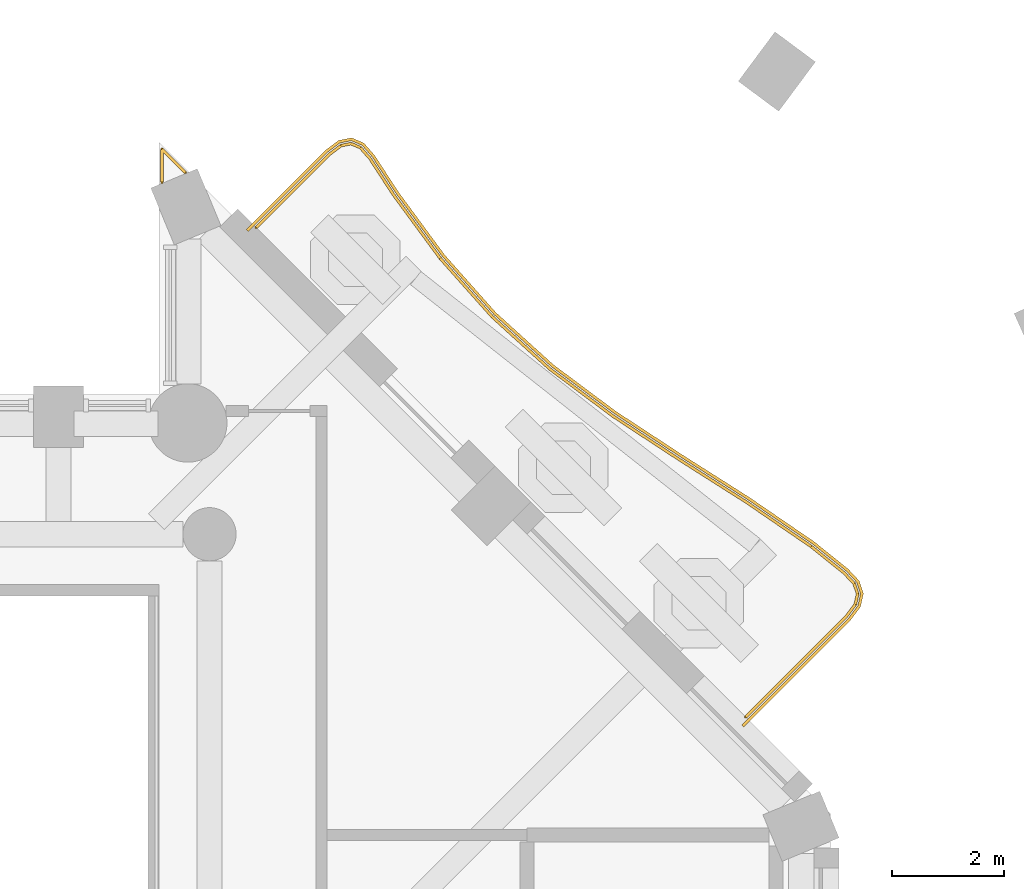
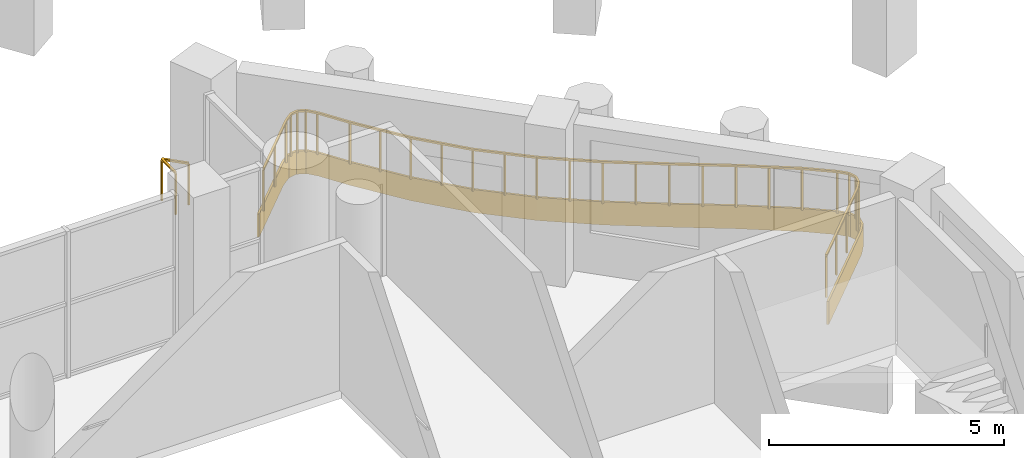
# One storey, part 15 of 16: 2 railings, 1 covering.
"""IFC4 building model written with IfcOpenShell, lengths in metres."""

from ifc_helpers import new_model, si_unit, direction, frame, origin, origin_2d, place, context, subcontext, project, spatial, polyline, rectangle, outline, extrude, material, layer, layer_set, type_object, element, save


model = new_model("IFC4")

# Units and contexts
model_context = context("Model", 3, precision=1e-05, world=origin(), true_north=direction((0.0, 1.0)))
body_context = subcontext(model_context, "Body", "Model", "MODEL_VIEW")
ifc_project = project(units=[si_unit("LENGTHUNIT", "METRE"), si_unit("AREAUNIT", "SQUARE_METRE"), si_unit("VOLUMEUNIT", "CUBIC_METRE"), si_unit("PLANEANGLEUNIT", "RADIAN"), si_unit("MASSUNIT", "GRAM", prefix="KILO")], contexts=[model_context])

# Site, building, storey
site_placement = place(None, origin())
site = spatial("IfcSite", under=ifc_project, at=site_placement, CompositionType="ELEMENT")
building_placement = place(site_placement, origin())
building = spatial("IfcBuilding", under=site, at=building_placement, Name="Cypress Arch Tower", CompositionType="ELEMENT")
storey_placement = place(building_placement, frame((0.0, 0.0, 172.800048828125)))
storey = spatial("IfcBuildingStorey", under=building, at=storey_placement, Name="L37", CompositionType="ELEMENT", Elevation=172.800048828125)

# Covering
ifc_material_1 = material(Name="White powder-coated aluminium fascia", Category="aluminium")
ifc_layer = layer(ifc_material_1, 0.050048828125)
ifc_layer_set = layer_set([ifc_layer], Name="Balcony fascia BF50")
covering_type = type_object("IfcCoveringType", Name="Balcony fascia BF50", PredefinedType="CLADDING", material=ifc_layer_set)
covering_placement = place(storey_placement, frame((0.0, 0.0, -0.60009765625)))
element("IfcCovering", 1, at=covering_placement, inside=storey, type_object=covering_type, Name="Balcony fascia L37-B05", PredefinedType="CLADDING", context=body_context, shape_type="SweptSolid", body=[
    extrude(outline(polyline([(11.076416015625, 16.865234375), (11.307373046875, 17.037841796875), (11.53955078125, 17.083740234375), (11.75732421875, 16.99072265625), (11.947265625, 16.77392578125), (12.373291015625, 16.118896484375), (13.201171875, 14.99267578125), (14.1201171875, 13.958984375), (15.14404296875, 13.03076171875), (16.262939453125, 12.195556640625), (17.4453125, 11.4208984375), (18.64453125, 10.659912109375), (19.810546875, 9.8623046875), (20.412109375, 9.37841796875), (20.60791015625, 9.168212890625), (20.685302734375, 8.938720703125), (20.633056640625, 8.702392578125), (20.4609375, 8.472412109375), (18.545166015625, 6.556396484375), (18.509765625, 6.591796875), (20.423095703125, 8.505126953125), (20.586669921875, 8.7236328125), (20.633544921875, 8.93603515625), (20.56396484375, 9.14208984375), (20.3779296875, 9.341796875), (19.780517578125, 9.822265625), (18.6171875, 10.6181640625), (17.418212890625, 11.37890625), (16.234375, 12.154541015625), (15.1123046875, 12.991943359375), (14.08447265625, 13.923828125), (13.162109375, 14.961181640625), (12.33203125, 16.090576171875), (11.907470703125, 16.74365234375), (11.727294921875, 16.94921875), (11.5341796875, 17.03173828125), (11.328125, 16.990966796875), (11.109130859375, 16.8271484375), (9.691650390625, 15.40966796875), (9.65625, 15.445068359375), (11.076416015625, 16.865234375)])), origin(), (0.0, 0.0, 1.0), 0.60009765625),
])

# Railings
ifc_material_2 = material(Name="Powder-coated steel posts and rods, 100 mm clear between rods", Category="steel")
railing_type_1 = type_object("IfcRailingType", Name="Balcony guard GR1100", PredefinedType="GUARDRAIL", material=ifc_material_2)
railing_1_placement = place(storey_placement, frame((9.83251953125, 15.479736328125, 0.0)))
element("IfcRailing", 2, at=railing_1_placement, inside=storey, type_object=railing_type_1, Name="Balcony guard L37-B05", PredefinedType="GUARDRAIL", context=body_context, shape_type="SweptSolid", body=[
    extrude(rectangle(XDim=0.050048828125, YDim=0.050048828125, at=origin_2d()), frame((0.0, 0.0, 1.0751953125), z_axis=(0.707106781187, 0.707106781187, 0.0), x_axis=(-0.707106781187, 0.707106781187, 0.0)), (0.0, 0.0, 1.0), 1.85205078125),
    extrude(rectangle(XDim=0.050048828125, YDim=0.050048828125, at=origin_2d()), frame((1.3095703125, 1.3095703125, 1.0751953125), z_axis=(0.800566750152, 0.599243588661, 0.0), x_axis=(-0.599243588661, 0.800566750152, 0.0)), (0.0, 0.0, 1.0), 0.25830078125),
    extrude(rectangle(XDim=0.050048828125, YDim=0.050048828125, at=origin_2d()), frame((1.516357421875, 1.46435546875, 1.0751953125), z_axis=(0.980887022288, 0.194578132139, 0.0), x_axis=(-0.194578132139, 0.980887022288, 0.0)), (0.0, 0.0, 1.0), 0.18310546875),
    extrude(rectangle(XDim=0.050048828125, YDim=0.050048828125, at=origin_2d()), frame((1.696044921875, 1.5, 1.0751953125), z_axis=(0.919489314421, -0.393114996745, 0.0), x_axis=(0.393114996745, 0.919489314421, 0.0)), (0.0, 0.0, 1.0), 0.18310546875),
    extrude(rectangle(XDim=0.050048828125, YDim=0.050048828125, at=origin_2d()), frame((1.864501953125, 1.427978515625, 1.0751953125), z_axis=(0.659306696217, -0.751874112018, 0.0), x_axis=(0.751874112018, 0.659306696217, 0.0)), (0.0, 0.0, 1.0), 0.258544921875),
    extrude(rectangle(XDim=0.050048828125, YDim=0.050048828125, at=origin_2d()), frame((2.034912109375, 1.233642578125, 1.0751953125), z_axis=(0.545165050571, -0.838328734826, 0.0), x_axis=(0.838328734826, 0.545165050571, 0.0)), (0.0, 0.0, 1.0), 0.777099609375),
    extrude(rectangle(XDim=0.050048828125, YDim=0.050048828125, at=origin_2d()), frame((2.45849609375, 0.582275390625, 1.0751953125), z_axis=(0.592244511722, -0.805758300196, 0.0), x_axis=(0.805758300196, 0.592244511722, 0.0)), (0.0, 0.0, 1.0), 1.4052734375),
    extrude(rectangle(XDim=0.050048828125, YDim=0.050048828125, at=origin_2d()), frame((3.290771484375, -0.550048828125, 1.0751953125), z_axis=(0.664439986191, -0.747341625196, 0.0), x_axis=(0.747341625196, 0.664439986191, 0.0)), (0.0, 0.0, 1.0), 1.39306640625),
    extrude(rectangle(XDim=0.050048828125, YDim=0.050048828125, at=origin_2d()), frame((4.21630859375, -1.591064453125, 1.0751953125), z_axis=(0.740804252552, -0.671720968409, 0.0), x_axis=(0.671720968409, 0.740804252552, 0.0)), (0.0, 0.0, 1.0), 1.392333984375),
    extrude(rectangle(XDim=0.050048828125, YDim=0.050048828125, at=origin_2d()), frame((5.247802734375, -2.5263671875, 1.0751953125), z_axis=(0.80145798768, -0.598051079744, 0.0), x_axis=(0.598051079744, 0.80145798768, 0.0)), (0.0, 0.0, 1.0), 1.404296875),
    extrude(rectangle(XDim=0.050048828125, YDim=0.050048828125, at=origin_2d()), frame((6.373291015625, -3.3662109375, 1.0751953125), z_axis=(0.836450236101, -0.548042883839, 0.0), x_axis=(0.548042883839, 0.836450236101, 0.0)), (0.0, 0.0, 1.0), 1.4169921875),
    extrude(rectangle(XDim=0.050048828125, YDim=0.050048828125, at=origin_2d()), frame((7.55859375, -4.142822265625, 1.0751953125), z_axis=(0.844354858932, -0.535784352327, 0.0), x_axis=(0.535784352327, 0.844354858932, 0.0)), (0.0, 0.0, 1.0), 1.41943359375),
    extrude(rectangle(XDim=0.050048828125, YDim=0.050048828125, at=origin_2d()), frame((8.757080078125, -4.9033203125, 1.0751953125), z_axis=(0.825315774022, -0.564671473647, 0.0), x_axis=(0.564671473647, 0.825315774022, 0.0)), (0.0, 0.0, 1.0), 1.406982421875),
    extrude(rectangle(XDim=0.050048828125, YDim=0.050048828125, at=origin_2d()), frame((9.918212890625, -5.69775390625, 1.0751953125), z_axis=(0.779175986169, -0.62680521901, 0.0), x_axis=(0.62680521901, 0.779175986169, 0.0)), (0.0, 0.0, 1.0), 0.760986328125),
    extrude(rectangle(XDim=0.050048828125, YDim=0.050048828125, at=origin_2d()), frame((10.51123046875, -6.1748046875, 1.0751953125), z_axis=(0.68164520116, -0.731682868281, 0.0), x_axis=(0.731682868281, 0.68164520116, 0.0)), (0.0, 0.0, 1.0), 0.258544921875),
    extrude(rectangle(XDim=0.050048828125, YDim=0.050048828125, at=origin_2d()), frame((10.6875, -6.364013671875, 1.0751953125), z_axis=(0.320403878643, -0.947281032509, 0.0), x_axis=(0.947281032509, 0.320403878643, 0.0)), (0.0, 0.0, 1.0), 0.19287109375),
    extrude(rectangle(XDim=0.050048828125, YDim=0.050048828125, at=origin_2d()), frame((10.749267578125, -6.546630859375, 1.0751953125), z_axis=(-0.216796216624, -0.976216881875, 0.0), x_axis=(0.976216881875, -0.216796216624, 0.0)), (0.0, 0.0, 1.0), 0.192626953125),
    extrude(rectangle(XDim=0.050048828125, YDim=0.050048828125, at=origin_2d()), frame((10.70751953125, -6.734619140625, 1.0751953125), z_axis=(-0.598337706181, -0.801244026101, 0.0), x_axis=(0.801244026101, -0.598337706181, 0.0)), (0.0, 0.0, 1.0), 0.2587890625),
    extrude(rectangle(XDim=0.050048828125, YDim=0.050048828125, at=origin_2d()), frame((10.552734375, -6.94189453125, 1.0751953125), z_axis=(-0.707106781187, -0.707106781187, 0.0), x_axis=(0.707106781187, -0.707106781187, 0.0)), (0.0, 0.0, 1.0), 2.55322265625),
    extrude(rectangle(XDim=0.0400390625, YDim=0.0400390625, at=origin_2d()), origin(), (0.0, 0.0, 1.0), 1.050048828125),
    extrude(rectangle(XDim=0.0400390625, YDim=0.0400390625, at=origin_2d()), frame((0.65478515625, 0.65478515625, 0.0)), (0.0, 0.0, 1.0), 1.050048828125),
    extrude(rectangle(XDim=0.0400390625, YDim=0.0400390625, at=origin_2d()), frame((1.3095703125, 1.3095703125, 0.0)), (0.0, 0.0, 1.0), 1.050048828125),
    extrude(rectangle(XDim=0.0400390625, YDim=0.0400390625, at=origin_2d()), frame((1.516357421875, 1.46435546875, 0.0)), (0.0, 0.0, 1.0), 1.050048828125),
    extrude(rectangle(XDim=0.0400390625, YDim=0.0400390625, at=origin_2d()), frame((1.696044921875, 1.5, 0.0)), (0.0, 0.0, 1.0), 1.050048828125),
    extrude(rectangle(XDim=0.0400390625, YDim=0.0400390625, at=origin_2d()), frame((1.864501953125, 1.427978515625, 0.0)), (0.0, 0.0, 1.0), 1.050048828125),
    extrude(rectangle(XDim=0.0400390625, YDim=0.0400390625, at=origin_2d()), frame((2.034912109375, 1.233642578125, 0.0)), (0.0, 0.0, 1.0), 1.050048828125),
    extrude(rectangle(XDim=0.0400390625, YDim=0.0400390625, at=origin_2d()), frame((2.45849609375, 0.582275390625, 0.0)), (0.0, 0.0, 1.0), 1.050048828125),
    extrude(rectangle(XDim=0.0400390625, YDim=0.0400390625, at=origin_2d()), frame((2.87451171875, 0.01611328125, 0.0)), (0.0, 0.0, 1.0), 1.050048828125),
    extrude(rectangle(XDim=0.0400390625, YDim=0.0400390625, at=origin_2d()), frame((3.290771484375, -0.550048828125, 0.0)), (0.0, 0.0, 1.0), 1.050048828125),
    extrude(rectangle(XDim=0.0400390625, YDim=0.0400390625, at=origin_2d()), frame((3.75341796875, -1.070556640625, 0.0)), (0.0, 0.0, 1.0), 1.050048828125),
    extrude(rectangle(XDim=0.0400390625, YDim=0.0400390625, at=origin_2d()), frame((4.21630859375, -1.591064453125, 0.0)), (0.0, 0.0, 1.0), 1.050048828125),
    extrude(rectangle(XDim=0.0400390625, YDim=0.0400390625, at=origin_2d()), frame((4.73193359375, -2.05859375, 0.0)), (0.0, 0.0, 1.0), 1.050048828125),
    extrude(rectangle(XDim=0.0400390625, YDim=0.0400390625, at=origin_2d()), frame((5.247802734375, -2.5263671875, 0.0)), (0.0, 0.0, 1.0), 1.050048828125),
    extrude(rectangle(XDim=0.0400390625, YDim=0.0400390625, at=origin_2d()), frame((5.810546875, -2.9462890625, 0.0)), (0.0, 0.0, 1.0), 1.050048828125),
    extrude(rectangle(XDim=0.0400390625, YDim=0.0400390625, at=origin_2d()), frame((6.373291015625, -3.3662109375, 0.0)), (0.0, 0.0, 1.0), 1.050048828125),
    extrude(rectangle(XDim=0.0400390625, YDim=0.0400390625, at=origin_2d()), frame((6.9658203125, -3.75439453125, 0.0)), (0.0, 0.0, 1.0), 1.050048828125),
    extrude(rectangle(XDim=0.0400390625, YDim=0.0400390625, at=origin_2d()), frame((7.55859375, -4.142822265625, 0.0)), (0.0, 0.0, 1.0), 1.050048828125),
    extrude(rectangle(XDim=0.0400390625, YDim=0.0400390625, at=origin_2d()), frame((8.15771484375, -4.52294921875, 0.0)), (0.0, 0.0, 1.0), 1.050048828125),
    extrude(rectangle(XDim=0.0400390625, YDim=0.0400390625, at=origin_2d()), frame((8.757080078125, -4.9033203125, 0.0)), (0.0, 0.0, 1.0), 1.050048828125),
    extrude(rectangle(XDim=0.0400390625, YDim=0.0400390625, at=origin_2d()), frame((9.337646484375, -5.300537109375, 0.0)), (0.0, 0.0, 1.0), 1.050048828125),
    extrude(rectangle(XDim=0.0400390625, YDim=0.0400390625, at=origin_2d()), frame((9.918212890625, -5.69775390625, 0.0)), (0.0, 0.0, 1.0), 1.050048828125),
    extrude(rectangle(XDim=0.0400390625, YDim=0.0400390625, at=origin_2d()), frame((10.51123046875, -6.1748046875, 0.0)), (0.0, 0.0, 1.0), 1.050048828125),
    extrude(rectangle(XDim=0.0400390625, YDim=0.0400390625, at=origin_2d()), frame((10.6875, -6.364013671875, 0.0)), (0.0, 0.0, 1.0), 1.050048828125),
    extrude(rectangle(XDim=0.0400390625, YDim=0.0400390625, at=origin_2d()), frame((10.749267578125, -6.546630859375, 0.0)), (0.0, 0.0, 1.0), 1.050048828125),
    extrude(rectangle(XDim=0.0400390625, YDim=0.0400390625, at=origin_2d()), frame((10.70751953125, -6.734619140625, 0.0)), (0.0, 0.0, 1.0), 1.050048828125),
    extrude(rectangle(XDim=0.0400390625, YDim=0.0400390625, at=origin_2d()), frame((10.552734375, -6.94189453125, 0.0)), (0.0, 0.0, 1.0), 1.050048828125),
    extrude(rectangle(XDim=0.0400390625, YDim=0.0400390625, at=origin_2d()), frame((9.950927734375, -7.543701171875, 0.0)), (0.0, 0.0, 1.0), 1.050048828125),
    extrude(rectangle(XDim=0.0400390625, YDim=0.0400390625, at=origin_2d()), frame((9.34912109375, -8.1455078125, 0.0)), (0.0, 0.0, 1.0), 1.050048828125),
    extrude(rectangle(XDim=0.0400390625, YDim=0.0400390625, at=origin_2d()), frame((8.747314453125, -8.747314453125, 0.0)), (0.0, 0.0, 1.0), 1.050048828125),
])
ifc_material_3 = material(Name="Powder-coated steel posts and rods, 100 mm clear between rods", Category="steel")
railing_type_2 = type_object("IfcRailingType", Name="Corner guard GR1100C", PredefinedType="GUARDRAIL", material=ifc_material_3)
railing_2_placement = place(storey_placement, frame((8.14990234375, 16.290771484375, 0.0)))
element("IfcRailing", 3, at=railing_2_placement, inside=storey, type_object=railing_type_2, Name="Corner guard L37 7", PredefinedType="GUARDRAIL", context=body_context, shape_type="SweptSolid", body=[
    extrude(rectangle(XDim=0.050048828125, YDim=0.050048828125, at=origin_2d()), frame((0.0, 0.0, 1.0751953125), z_axis=(0.0, 1.0, 0.0), x_axis=(-1.0, 0.0, 0.0)), (0.0, 0.0, 1.0), 0.588623046875),
    extrude(rectangle(XDim=0.050048828125, YDim=0.050048828125, at=origin_2d()), frame((0.0, 0.588623046875, 1.0751953125), z_axis=(0.707106781187, -0.707106781187, 0.0), x_axis=(0.707106781187, 0.707106781187, 0.0)), (0.0, 0.0, 1.0), 0.588623046875),
    extrude(rectangle(XDim=0.0400390625, YDim=0.0400390625, at=origin_2d()), origin(), (0.0, 0.0, 1.0), 1.050048828125),
    extrude(rectangle(XDim=0.0400390625, YDim=0.0400390625, at=origin_2d()), frame((0.0, 0.588623046875, 0.0)), (0.0, 0.0, 1.0), 1.050048828125),
    extrude(rectangle(XDim=0.0400390625, YDim=0.0400390625, at=origin_2d()), frame((0.416259765625, 0.17236328125, 0.0)), (0.0, 0.0, 1.0), 1.050048828125),
])

save(model, "model.ifc")
